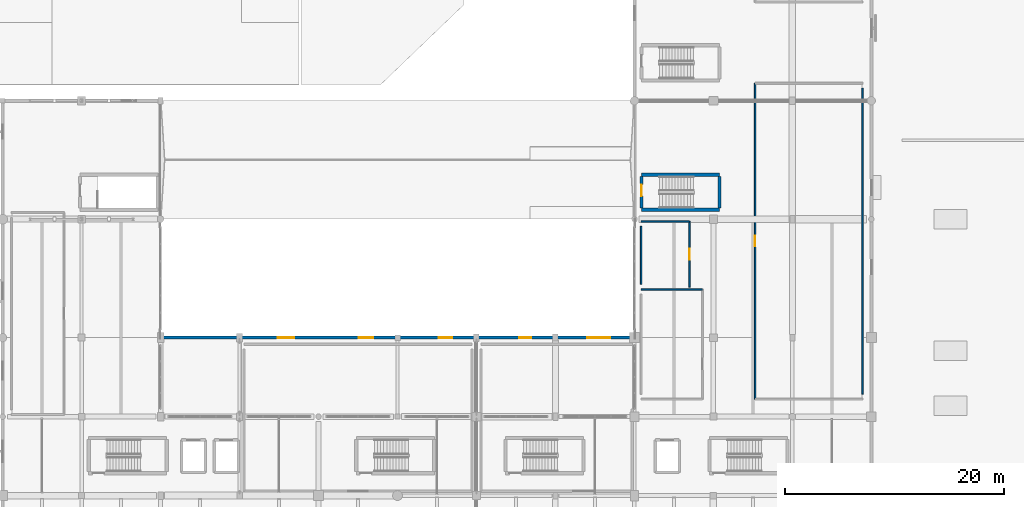
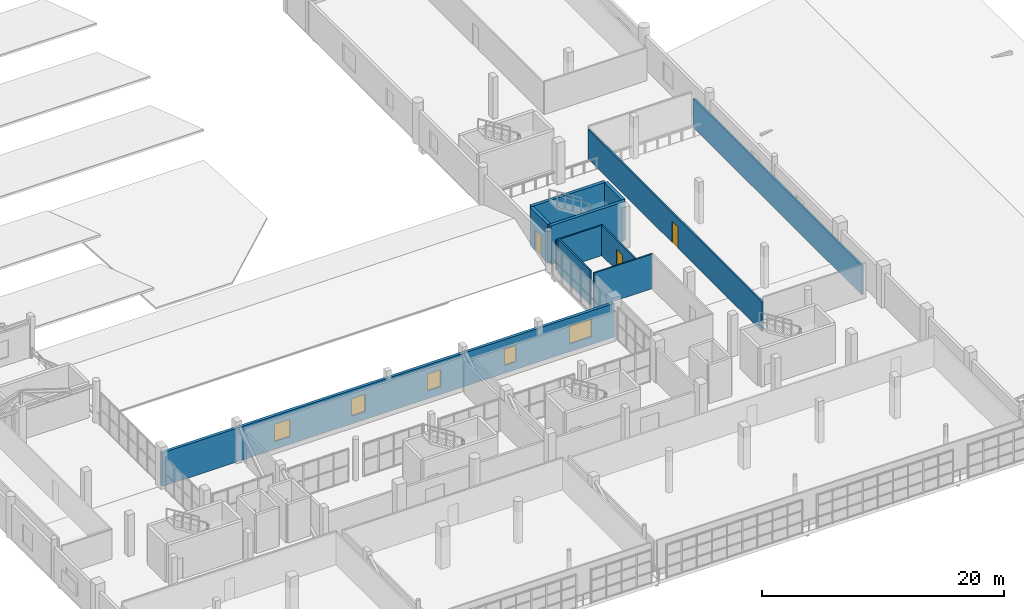
# One storey, part 75 of 90: 11 walls, 5 windows, 3 doors, 8 openings.
"""IFC4 building model written with IfcOpenShell, lengths in metres."""

from ifc_helpers import new_model, si_unit, direction, frame, frame_2d, origin, place, context, subcontext, project, spatial, rectangle, extrude, material, layer, layer_set, type_object, element, fill, save


model = new_model("IFC4")

# Units and contexts
model_context = context("Model", 3, precision=1e-05, world=origin(), true_north=direction((0.0, 1.0)))
body_context = subcontext(model_context, "Body", "Model", "MODEL_VIEW")
ifc_project = project(units=[si_unit("LENGTHUNIT", "METRE"), si_unit("AREAUNIT", "SQUARE_METRE"), si_unit("VOLUMEUNIT", "CUBIC_METRE"), si_unit("PLANEANGLEUNIT", "RADIAN"), si_unit("MASSUNIT", "GRAM", prefix="KILO")], contexts=[model_context])

# Site, building, storey
site_placement = place(None, origin())
site = spatial("IfcSite", under=ifc_project, at=site_placement, CompositionType="ELEMENT")
building_placement = place(site_placement, origin())
building = spatial("IfcBuilding", under=site, at=building_placement, Name="Solanera Park Tramway Depot", CompositionType="ELEMENT")
storey_placement = place(building_placement, frame((0.0, 0.0, 9.0)))
storey = spatial("IfcBuildingStorey", under=building, at=storey_placement, Name="L02", CompositionType="ELEMENT", Elevation=9.0)

# Wall
ifc_material_1 = material(Name="Concrete N32 (C32/40)", Category="concrete")
ifc_layer_1 = layer(ifc_material_1, 0.14990234375)
ifc_layer_set_1 = layer_set([ifc_layer_1], Name="Concrete N32 (C32/40)")
wall_type_1 = type_object("IfcWallType", Name="Acoustic Partition 150", PredefinedType="PARTITIONING", material=ifc_layer_set_1)
wall_1_placement = place(storey_placement, frame((186.39990234375, 27.25, 0.0), z_axis=(0.0, 0.0, 1.0), x_axis=(0.0, 1.0, 0.0)))
element("IfcWall", 1, at=wall_1_placement, inside=storey, type_object=wall_type_1, Name="Passenger Information and GIS Analytics Dividing Wall", PredefinedType="PARTITIONING", context=body_context, shape_type="SweptSolid", body=[
    extrude(rectangle(XDim=27.89990234375, YDim=0.14990234375, at=frame_2d((13.949951171875, 0.0))), origin(), (0.0, 0.0, 1.0), 2.95703125),
])

# Wall, opening, door
wall_2_placement = place(storey_placement, frame((176.60009765625, 55.60009765625, 0.0), z_axis=(0.0, 0.0, 1.0), x_axis=(0.0, -1.0, 0.0)))
wall_2 = element("IfcWall", 2, at=wall_2_placement, inside=storey, type_object=wall_type_1, Name="Passenger Information and GIS Analytics Corridor Wall", PredefinedType="PARTITIONING", context=body_context, shape_type="SweptSolid", body=[
    extrude(rectangle(XDim=28.800048828125, YDim=0.14990234375, at=frame_2d((14.39990234375, 0.0))), origin(), (0.0, 0.0, 1.0), 3.007080078125),
])
opening_1_placement = place(wall_2_placement, frame((13.919921875, 0.0, 0.0)))
opening_1 = element("IfcOpeningElement", 3, at=opening_1_placement, cuts=wall_2, Name="Opening ID-O1L", PredefinedType="OPENING", context=body_context, shape_type="SweptSolid", body=[
    extrude(rectangle(XDim=0.9599609375, YDim=2.14990234375, at=frame_2d((0.47998046875, 1.074951171875))), frame((0.0, 0.0849609375, 0.0), z_axis=(0.0, -1.0, 0.0), x_axis=(1.0, 0.0, 0.0)), (0.0, 0.0, 1.0), 0.169921875),
])
ifc_material_2 = material(Name="Fire-rated steel or solid-core hardwood door leaf", Category="steel")
door_type_1 = type_object("IfcDoorType", Name="Office Single Door L 960x2150", OperationType="SINGLE_SWING_LEFT", PredefinedType="DOOR", material=ifc_material_2)
door_1_placement = place(opening_1_placement, origin())
door_1 = element("IfcDoor", 4, at=door_1_placement, inside=storey, type_object=door_type_1, Name="Passenger Information and GIS Analytics Door", OperationType="SINGLE_SWING_LEFT", OverallHeight=2.14990234375, OverallWidth=0.9599609375, PredefinedType="DOOR", context=body_context, shape_type="SweptSolid", body=[
    extrude(rectangle(XDim=0.9599609375, YDim=2.14990234375, at=frame_2d((0.47998046875, 1.074951171875))), frame((0.0, 0.02490234375, 0.0), z_axis=(0.0, -1.0, 0.0), x_axis=(1.0, 0.0, 0.0)), (0.0, 0.0, 1.0), 0.050048828125),
])
fill(opening_1, door_1)

# Walls
ifc_material_3 = material(Name="Concrete N40 (C40/50)", Category="concrete")
ifc_layer_2 = layer(ifc_material_3, 0.300048828125)
ifc_layer_set_2 = layer_set([ifc_layer_2], Name="Concrete N40 (C40/50)")
wall_type_2 = type_object("IfcWallType", Name="Core Shear Wall 300", PredefinedType="SHEAR", material=ifc_layer_set_2)
for number, where, z_axis, x_axis, name in (
    (5, (166.25, 44.050048828125, 0.0), (0.0, 0.0, 1.0), (1.0, 0.0, 0.0), "ST-05 L02 Shear Core Wall S"),
    (6, (173.35009765625, 47.25, 0.0), (0.0, 0.0, 1.0), (-1.0, 0.0, 0.0), "ST-05 L02 Shear Core Wall N"),
):
    element("IfcWall", number, at=place(storey_placement, frame(where, z_axis=z_axis, x_axis=x_axis)), inside=storey, type_object=wall_type_2, Name=name, PredefinedType="SHEAR", context=body_context, shape_type="SweptSolid", body=[
        extrude(rectangle(XDim=7.10009765625, YDim=0.300048828125, at=frame_2d((3.550048828125, 0.0))), origin(), (0.0, 0.0, 1.0), 3.925048828125),
    ])
wall_3_placement = place(storey_placement, frame((173.35009765625, 44.199951171875, 0.0), z_axis=(0.0, 0.0, 1.0), x_axis=(0.0, 1.0, 0.0)))
element("IfcWall", 7, at=wall_3_placement, inside=storey, type_object=wall_type_2, Name="ST-05 L02 Shear Core Wall E", PredefinedType="SHEAR", context=body_context, shape_type="SweptSolid", body=[
    extrude(rectangle(XDim=2.900146484375, YDim=0.300048828125, at=frame_2d((1.4501953125, 0.0))), origin(), (0.0, 0.0, 1.0), 3.925048828125),
])

# Wall, opening, door
wall_4_placement = place(storey_placement, frame((166.25, 47.10009765625, 0.0), z_axis=(0.0, 0.0, 1.0), x_axis=(0.0, -1.0, 0.0)))
wall_4 = element("IfcWall", 8, at=wall_4_placement, inside=storey, type_object=wall_type_2, Name="ST-05 L02 Shear Core Wall W", PredefinedType="SHEAR", context=body_context, shape_type="SweptSolid", body=[
    extrude(rectangle(XDim=2.900146484375, YDim=0.300048828125, at=frame_2d((1.4501953125, 0.0))), origin(), (0.0, 0.0, 1.0), 3.925048828125),
])
opening_2_placement = place(wall_4_placement, frame((0.75, 0.0, 0.0)))
opening_2 = element("IfcOpeningElement", 9, at=opening_2_placement, cuts=wall_4, Name="Opening FD-S1L", PredefinedType="OPENING", context=body_context, shape_type="SweptSolid", body=[
    extrude(rectangle(XDim=1.050048828125, YDim=2.14990234375, at=frame_2d((0.52490234375, 1.074951171875))), frame((0.0, 0.16015625, 0.0), z_axis=(0.0, -1.0, 0.0), x_axis=(1.0, 0.0, 0.0)), (0.0, 0.0, 1.0), 0.320068359375),
])
ifc_material_4 = material(Name="Fire-rated steel or solid-core hardwood door leaf", Category="steel")
door_type_2 = type_object("IfcDoorType", Name="Stair Fire Door L 1050x2150", OperationType="SINGLE_SWING_LEFT", PredefinedType="DOOR", material=ifc_material_4)
door_2_placement = place(opening_2_placement, origin())
door_2 = element("IfcDoor", 10, at=door_2_placement, inside=storey, type_object=door_type_2, Name="ST-05 L02 Stair Fire Door", OperationType="SINGLE_SWING_LEFT", OverallHeight=2.14990234375, OverallWidth=1.050048828125, PredefinedType="DOOR", context=body_context, shape_type="SweptSolid", body=[
    extrude(rectangle(XDim=1.050048828125, YDim=2.14990234375, at=frame_2d((0.52490234375, 1.074951171875))), frame((0.0, 0.02490234375, 0.0), z_axis=(0.0, -1.0, 0.0), x_axis=(1.0, 0.0, 0.0)), (0.0, 0.0, 1.0), 0.050048828125),
])
fill(opening_2, door_2)

# Wall, openings, windows
ifc_material_5 = material(Name="Concrete N32 (C32/40)", Category="concrete")
ifc_layer_3 = layer(ifc_material_5, 0.280029296875)
ifc_layer_set_3 = layer_set([ifc_layer_3], Name="Concrete N32 (C32/40)")
wall_type_3 = type_object("IfcWallType", Name="Ext Stucco Wall 280", PredefinedType="SOLIDWALL", material=ifc_layer_set_3)
wall_5_placement = place(storey_placement, frame((165.60009765625, 32.39990234375, 0.0), z_axis=(0.0, 0.0, 1.0), x_axis=(-1.0, 0.0, 0.0)))
wall_5 = element("IfcWall", 11, at=wall_5_placement, inside=storey, type_object=wall_type_3, Name="L02 Exterior Wall #034", PredefinedType="SOLIDWALL", context=body_context, shape_type="SweptSolid", body=[
    extrude(rectangle(XDim=43.2001953125, YDim=0.280029296875, at=frame_2d((21.60009765625, 0.0))), origin(), (0.0, 0.0, 1.0), 3.39990234375),
])
opening_3_placement = place(wall_5_placement, frame((2.199951171875, 0.0, 0.780029296875)))
opening_3 = element("IfcOpeningElement", 12, at=opening_3_placement, cuts=wall_5, Name="Opening WN-C21", PredefinedType="OPENING", context=body_context, shape_type="SweptSolid", body=[
    extrude(rectangle(XDim=2.10009765625, YDim=1.800048828125, at=frame_2d((1.050048828125, 0.89990234375))), frame((0.0, 0.14990234375, 0.0), z_axis=(0.0, -1.0, 0.0), x_axis=(1.0, 0.0, 0.0)), (0.0, 0.0, 1.0), 0.300048828125),
])
opening_4_placement = place(wall_5_placement, frame((9.39990234375, 0.0, 0.780029296875)))
opening_4 = element("IfcOpeningElement", 13, at=opening_4_placement, cuts=wall_5, Name="Opening WN-C11", PredefinedType="OPENING", context=body_context, shape_type="SweptSolid", body=[
    extrude(rectangle(XDim=1.10009765625, YDim=1.64990234375, at=frame_2d((0.550048828125, 0.824951171875))), frame((0.0, 0.14990234375, 0.0), z_axis=(0.0, -1.0, 0.0), x_axis=(1.0, 0.0, 0.0)), (0.0, 0.0, 1.0), 0.300048828125),
])
opening_5_placement = place(wall_5_placement, frame((16.60009765625, 0.0, 0.780029296875)))
opening_5 = element("IfcOpeningElement", 14, at=opening_5_placement, cuts=wall_5, Name="Opening WN-C12", PredefinedType="OPENING", context=body_context, shape_type="SweptSolid", body=[
    extrude(rectangle(XDim=1.25, YDim=1.699951171875, at=frame_2d((0.625, 0.85009765625))), frame((0.0, 0.14990234375, 0.0), z_axis=(0.0, -1.0, 0.0), x_axis=(1.0, 0.0, 0.0)), (0.0, 0.0, 1.0), 0.300048828125),
])
opening_6_placement = place(wall_5_placement, frame((23.800048828125, 0.0, 0.780029296875)))
opening_6 = element("IfcOpeningElement", 15, at=opening_6_placement, cuts=wall_5, Name="Opening WN-C13", PredefinedType="OPENING", context=body_context, shape_type="SweptSolid", body=[
    extrude(rectangle(XDim=1.35009765625, YDim=1.75, at=frame_2d((0.675048828125, 0.875))), frame((0.0, 0.14990234375, 0.0), z_axis=(0.0, -1.0, 0.0), x_axis=(1.0, 0.0, 0.0)), (0.0, 0.0, 1.0), 0.300048828125),
])
opening_7_placement = place(wall_5_placement, frame((31.0, 0.0, 0.780029296875)))
opening_7 = element("IfcOpeningElement", 16, at=opening_7_placement, cuts=wall_5, Name="Opening WN-C15", PredefinedType="OPENING", context=body_context, shape_type="SweptSolid", body=[
    extrude(rectangle(XDim=1.5, YDim=1.75, at=frame_2d((0.75, 0.875))), frame((0.0, 0.14990234375, 0.0), z_axis=(0.0, -1.0, 0.0), x_axis=(1.0, 0.0, 0.0)), (0.0, 0.0, 1.0), 0.300048828125),
])
ifc_material_6 = material(Name="Powder-coated aluminium frame with solar-control double glazing", Category="aluminium")
window_type_1 = type_object("IfcWindowType", Name="Cloister Casement Window 1100x1650", PartitioningType="SINGLE_PANEL", PredefinedType="WINDOW", material=ifc_material_6)
window_1_placement = place(opening_4_placement, origin())
window_1 = element("IfcWindow", 17, at=window_1_placement, inside=storey, type_object=window_type_1, Name="L02 Cloister Casement Window 1100x1650 #0148", OverallHeight=1.64990234375, OverallWidth=1.10009765625, PartitioningType="SINGLE_PANEL", PredefinedType="WINDOW", context=body_context, shape_type="SweptSolid", body=[
    extrude(rectangle(XDim=1.10009765625, YDim=1.64990234375, at=frame_2d((0.550048828125, 0.824951171875))), frame((0.0, 0.030029296875, 0.0), z_axis=(0.0, -1.0, 0.0), x_axis=(1.0, 0.0, 0.0)), (0.0, 0.0, 1.0), 0.06005859375),
])
fill(opening_4, window_1)
ifc_material_7 = material(Name="Powder-coated aluminium frame with solar-control double glazing", Category="aluminium")
window_type_2 = type_object("IfcWindowType", Name="Cloister Casement Window 1250x1700", PartitioningType="SINGLE_PANEL", PredefinedType="WINDOW", material=ifc_material_7)
window_2_placement = place(opening_5_placement, origin())
window_2 = element("IfcWindow", 18, at=window_2_placement, inside=storey, type_object=window_type_2, Name="L02 Cloister Casement Window 1250x1700 #0149", OverallHeight=1.699951171875, OverallWidth=1.25, PartitioningType="SINGLE_PANEL", PredefinedType="WINDOW", context=body_context, shape_type="SweptSolid", body=[
    extrude(rectangle(XDim=1.25, YDim=1.699951171875, at=frame_2d((0.625, 0.85009765625))), frame((0.0, 0.030029296875, 0.0), z_axis=(0.0, -1.0, 0.0), x_axis=(1.0, 0.0, 0.0)), (0.0, 0.0, 1.0), 0.06005859375),
])
fill(opening_5, window_2)
ifc_material_8 = material(Name="Powder-coated aluminium frame with solar-control double glazing", Category="aluminium")
window_type_3 = type_object("IfcWindowType", Name="Cloister Casement Window 1350x1750", PartitioningType="SINGLE_PANEL", PredefinedType="WINDOW", material=ifc_material_8)
window_3_placement = place(opening_6_placement, origin())
window_3 = element("IfcWindow", 19, at=window_3_placement, inside=storey, type_object=window_type_3, Name="L02 Cloister Casement Window 1350x1750 #0150", OverallHeight=1.75, OverallWidth=1.35009765625, PartitioningType="SINGLE_PANEL", PredefinedType="WINDOW", context=body_context, shape_type="SweptSolid", body=[
    extrude(rectangle(XDim=1.35009765625, YDim=1.75, at=frame_2d((0.675048828125, 0.875))), frame((0.0, 0.030029296875, 0.0), z_axis=(0.0, -1.0, 0.0), x_axis=(1.0, 0.0, 0.0)), (0.0, 0.0, 1.0), 0.06005859375),
])
fill(opening_6, window_3)
ifc_material_9 = material(Name="Powder-coated aluminium frame with solar-control double glazing", Category="aluminium")
window_type_4 = type_object("IfcWindowType", Name="Cloister Casement Window 1500x1750", PartitioningType="SINGLE_PANEL", PredefinedType="WINDOW", material=ifc_material_9)
window_4_placement = place(opening_7_placement, origin())
window_4 = element("IfcWindow", 20, at=window_4_placement, inside=storey, type_object=window_type_4, Name="L02 Cloister Casement Window 1500x1750 #0151", OverallHeight=1.75, OverallWidth=1.5, PartitioningType="SINGLE_PANEL", PredefinedType="WINDOW", context=body_context, shape_type="SweptSolid", body=[
    extrude(rectangle(XDim=1.5, YDim=1.75, at=frame_2d((0.75, 0.875))), frame((0.0, 0.030029296875, 0.0), z_axis=(0.0, -1.0, 0.0), x_axis=(1.0, 0.0, 0.0)), (0.0, 0.0, 1.0), 0.06005859375),
])
fill(opening_7, window_4)
ifc_material_10 = material(Name="Powder-coated aluminium frame with solar-control double glazing", Category="aluminium")
window_type_5 = type_object("IfcWindowType", Name="Cloister Casement Window 2100x1800", PartitioningType="SINGLE_PANEL", PredefinedType="WINDOW", material=ifc_material_10)
window_5_placement = place(opening_3_placement, origin())
window_5 = element("IfcWindow", 21, at=window_5_placement, inside=storey, type_object=window_type_5, Name="L02 Cloister Casement Window 2100x1800 #0147", OverallHeight=1.800048828125, OverallWidth=2.10009765625, PartitioningType="SINGLE_PANEL", PredefinedType="WINDOW", context=body_context, shape_type="SweptSolid", body=[
    extrude(rectangle(XDim=2.10009765625, YDim=1.800048828125, at=frame_2d((1.050048828125, 0.89990234375))), frame((0.0, 0.030029296875, 0.0), z_axis=(0.0, -1.0, 0.0), x_axis=(1.0, 0.0, 0.0)), (0.0, 0.0, 1.0), 0.06005859375),
])
fill(opening_3, window_5)

# Walls
ifc_material_11 = material(Name="Concrete N32 (C32/40)", Category="concrete")
ifc_layer_4 = layer(ifc_material_11, 0.139892578125)
ifc_layer_set_4 = layer_set([ifc_layer_4], Name="Concrete N32 (C32/40)")
wall_type_4 = type_object("IfcWallType", Name="Wet Area Partition 140", PredefinedType="PARTITIONING", material=ifc_layer_set_4)
wall_6_placement = place(storey_placement, frame((166.199951171875, 36.800048828125, 0.0), z_axis=(0.0, 0.0, 1.0), x_axis=(1.0, 0.0, 0.0)))
element("IfcWall", 22, at=wall_6_placement, inside=storey, type_object=wall_type_4, Name="OCC Level Male and Female Restrooms L02 Dividing Wall", PredefinedType="PARTITIONING", context=body_context, shape_type="SweptSolid", body=[
    extrude(rectangle(XDim=5.60009765625, YDim=0.139892578125, at=frame_2d((2.800048828125, 0.0))), origin(), (0.0, 0.0, 1.0), 3.5),
])
wall_7_placement = place(storey_placement, frame((166.199951171875, 43.0, 0.0), z_axis=(0.0, 0.0, 1.0), x_axis=(1.0, 0.0, 0.0)))
element("IfcWall", 23, at=wall_7_placement, inside=storey, type_object=wall_type_4, Name="OCC Level Accessible WC and Shower L02 Dividing Wall", PredefinedType="PARTITIONING", context=body_context, shape_type="SweptSolid", body=[
    extrude(rectangle(XDim=4.400146484375, YDim=0.139892578125, at=frame_2d((2.2001953125, 0.0))), origin(), (0.0, 0.0, 1.0), 3.056884765625),
])
wall_8_placement = place(storey_placement, frame((166.199951171875, 42.550048828125, 0.0), z_axis=(0.0, 0.0, 1.0), x_axis=(0.0, -1.0, 0.0)))
element("IfcWall", 24, at=wall_8_placement, inside=storey, type_object=wall_type_4, Name="OCC Level Accessible WC and Shower L02 Dividing Wall", PredefinedType="PARTITIONING", context=body_context, shape_type="SweptSolid", body=[
    extrude(rectangle(XDim=5.300048828125, YDim=0.139892578125, at=frame_2d((2.64990234375, 0.0))), origin(), (0.0, 0.0, 1.0), 3.5),
])

# Wall, opening, door
wall_9_placement = place(storey_placement, frame((170.60009765625, 37.0, 0.0), z_axis=(0.0, 0.0, 1.0), x_axis=(0.0, 1.0, 0.0)))
wall_9 = element("IfcWall", 25, at=wall_9_placement, inside=storey, type_object=wall_type_4, Name="OCC Level Accessible WC and Shower L02 Corridor Wall", PredefinedType="PARTITIONING", context=body_context, shape_type="SweptSolid", body=[
    extrude(rectangle(XDim=6.0, YDim=0.139892578125, at=frame_2d((3.0, 0.0))), origin(), (0.0, 0.0, 1.0), 3.056884765625),
])
opening_8_placement = place(wall_9_placement, frame((2.5048828125, 0.0, 0.0)))
opening_8 = element("IfcOpeningElement", 26, at=opening_8_placement, cuts=wall_9, Name="Opening ID-W1R", PredefinedType="OPENING", context=body_context, shape_type="SweptSolid", body=[
    extrude(rectangle(XDim=0.989990234375, YDim=2.14990234375, at=frame_2d((0.4951171875, 1.074951171875))), frame((0.0, 0.080078125, 0.0), z_axis=(0.0, -1.0, 0.0), x_axis=(1.0, 0.0, 0.0)), (0.0, 0.0, 1.0), 0.159912109375),
])
ifc_material_12 = material(Name="Fire-rated steel or solid-core hardwood door leaf", Category="steel")
door_type_3 = type_object("IfcDoorType", Name="Accessible WC Door R 990x2150", OperationType="SINGLE_SWING_RIGHT", PredefinedType="DOOR", material=ifc_material_12)
door_3_placement = place(opening_8_placement, origin())
door_3 = element("IfcDoor", 27, at=door_3_placement, inside=storey, type_object=door_type_3, Name="OCC Level Accessible WC and Shower L02 Door", OperationType="SINGLE_SWING_RIGHT", OverallHeight=2.14990234375, OverallWidth=0.989990234375, PredefinedType="DOOR", context=body_context, shape_type="SweptSolid", body=[
    extrude(rectangle(XDim=0.989990234375, YDim=2.14990234375, at=frame_2d((0.4951171875, 1.074951171875))), frame((0.0, 0.02490234375, 0.0), z_axis=(0.0, -1.0, 0.0), x_axis=(1.0, 0.0, 0.0)), (0.0, 0.0, 1.0), 0.050048828125),
])
fill(opening_8, door_3)

save(model, "model.ifc")
